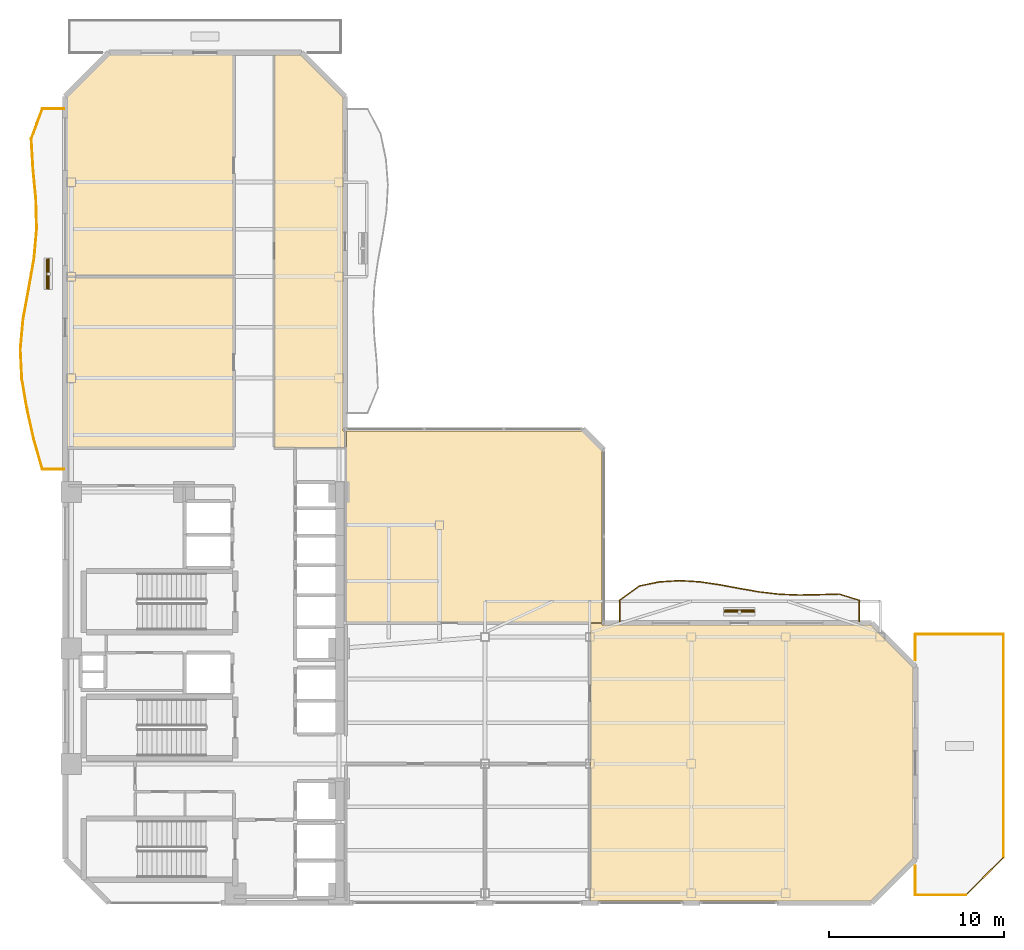
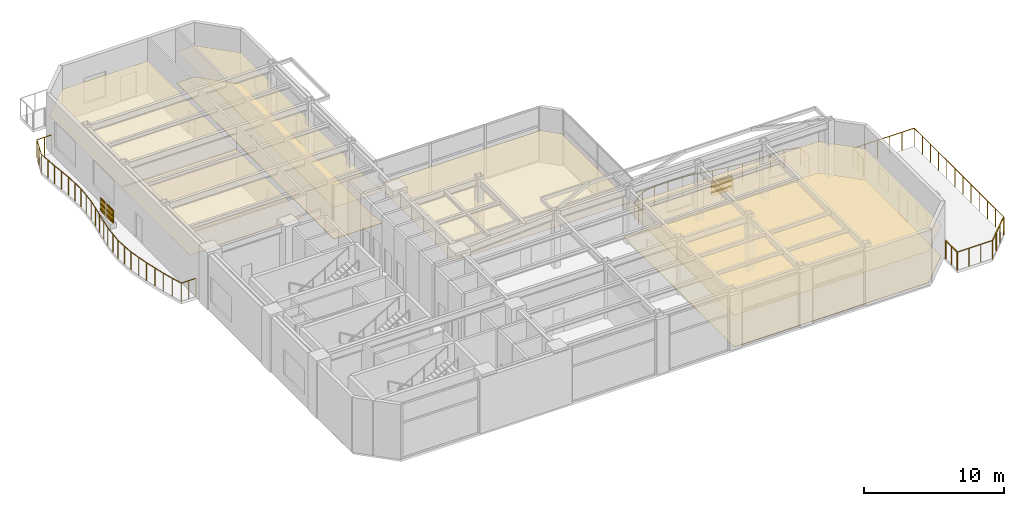
# One storey, part 22 of 23: 8 railings, 8 shading devices, 7 coverings.
"""IFC4 building model written with IfcOpenShell, lengths in metres."""

from ifc_helpers import new_model, si_unit, direction, frame, origin, origin_2d, place, context, subcontext, project, spatial, polyline, rectangle, outline, extrude, material, layer, layer_set, material_profile, profile_set, type_object, element, save


model = new_model("IFC4")

# Units and contexts
model_context = context("Model", 3, precision=1e-05, world=origin(), true_north=direction((0.0, 1.0)))
body_context = subcontext(model_context, "Body", "Model", "MODEL_VIEW")
ifc_project = project(units=[si_unit("LENGTHUNIT", "METRE"), si_unit("AREAUNIT", "SQUARE_METRE"), si_unit("VOLUMEUNIT", "CUBIC_METRE"), si_unit("PLANEANGLEUNIT", "RADIAN"), si_unit("MASSUNIT", "GRAM", prefix="KILO")], contexts=[model_context])

# Site, building, storey
site_placement = place(None, origin())
site = spatial("IfcSite", under=ifc_project, at=site_placement, CompositionType="ELEMENT")
building_placement = place(site_placement, origin())
building = spatial("IfcBuilding", under=site, at=building_placement, Name="Mawjaban Terraces University", CompositionType="ELEMENT")
storey_placement = place(building_placement, frame((0.0, 0.0, 98.39990234375)))
storey = spatial("IfcBuildingStorey", under=building, at=storey_placement, Name="L23", CompositionType="ELEMENT", Elevation=98.39990234375)

# Coverings
ifc_material_1 = material(Name="Acoustic mineral fibre ceiling tile", Category="masonry")
ifc_layer_1 = layer(ifc_material_1, 0.02001953125)
ifc_layer_set_1 = layer_set([ifc_layer_1], Name="Acoustic mineral fibre ceiling tile")
covering_type_1 = type_object("IfcCoveringType", Name="AcousticMineralCeiling_20", PredefinedType="CEILING", material=ifc_layer_set_1)
covering_1_placement = place(storey_placement, frame((0.0, 0.0, 2.75)))
element("IfcCovering", 1, at=covering_1_placement, inside=storey, type_object=covering_type_1, Name="L23 Low-to-Mid Sky Lounge Commons Acoustic Ceiling", PredefinedType="CEILING", context=body_context, shape_type="SweptSolid", body=[
    extrude(outline(polyline([(52.030029296875, 0.114990234375), (68.052978515625, 0.114990234375), (70.485107421875, 2.547119140625), (70.485107421875, 13.452880859375), (68.052978515625, 15.885009765625), (52.68505859375, 15.885009765625), (52.68505859375, 15.969970703125), (52.030029296875, 15.969970703125), (52.030029296875, 0.114990234375)])), origin(), (0.0, 0.0, 1.0), 0.02001953125),
])
covering_2_placement = place(storey_placement, frame((0.0, 0.0, 2.75)))
element("IfcCovering", 2, at=covering_2_placement, inside=storey, type_object=covering_type_1, Name="L23 Terrace Group Study Hall Acoustic Ceiling", PredefinedType="CEILING", context=body_context, shape_type="SweptSolid", body=[
    extrude(outline(polyline([(52.68505859375, 16.030029296875), (52.68505859375, 25.85302734375), (51.552978515625, 26.985107421875), (38.080078125, 26.985107421875), (38.080078125, 16.030029296875), (52.68505859375, 16.030029296875)])), origin(), (0.0, 0.0, 1.0), 0.02001953125),
])
covering_3_placement = place(storey_placement, frame((0.0, 0.0, 2.75)))
element("IfcCovering", 3, at=covering_3_placement, inside=storey, type_object=covering_type_1, Name="L23 Interfaculty Reading Commons Acoustic Ceiling", PredefinedType="CEILING", context=body_context, shape_type="SweptSolid", body=[
    extrude(outline(polyline([(37.885009765625, 26.985107421875), (37.885009765625, 46.052978515625), (35.452880859375, 48.485107421875), (33.97998046875, 48.485107421875), (33.97998046875, 26.030029296875), (37.969970703125, 26.030029296875), (37.969970703125, 26.985107421875), (37.885009765625, 26.985107421875)])), origin(), (0.0, 0.0, 1.0), 0.02001953125),
])
covering_4_placement = place(storey_placement, frame((0.0, 0.0, 2.75)))
element("IfcCovering", 4, at=covering_4_placement, inside=storey, type_object=covering_type_1, Name="L23 Student Advisory Office 1 Acoustic Ceiling", PredefinedType="CEILING", context=body_context, shape_type="SweptSolid", body=[
    extrude(outline(polyline([(22.114990234375, 35.77001953125), (22.114990234375, 26.030029296875), (31.6201171875, 26.030029296875), (31.6201171875, 35.77001953125), (22.114990234375, 35.77001953125)])), origin(), (0.0, 0.0, 1.0), 0.02001953125),
])
covering_5_placement = place(storey_placement, frame((0.0, 0.0, 2.75)))
element("IfcCovering", 5, at=covering_5_placement, inside=storey, type_object=covering_type_1, Name="L23 Student Advisory Office 2 Acoustic Ceiling", PredefinedType="CEILING", context=body_context, shape_type="SweptSolid", body=[
    extrude(outline(polyline([(31.6201171875, 48.485107421875), (24.547119140625, 48.485107421875), (22.114990234375, 46.052978515625), (22.114990234375, 35.830078125), (31.6201171875, 35.830078125), (31.6201171875, 48.485107421875)])), origin(), (0.0, 0.0, 1.0), 0.02001953125),
])

# Railings
ifc_material_2 = material(Name="Galvanised powder-coated steel S355", Category="steel")
railing_type = type_object("IfcRailingType", Name="BalconyBalustrade_1600", PredefinedType="BALUSTRADE", material=ifc_material_2)
railing_1_placement = place(storey_placement, frame((21.919921875, 24.800048828125, 0.0)))
element("IfcRailing", 6, at=railing_1_placement, inside=storey, type_object=railing_type, Name="L23 Balcony Guardrail west", PredefinedType="BALUSTRADE", context=body_context, shape_type="SweptSolid", body=[
    extrude(rectangle(XDim=0.048095703125, YDim=0.048095703125, at=origin_2d()), frame((0.0, 0.0, 1.576171875), z_axis=(-1.0, 0.0, 0.0), x_axis=(0.0, -1.0, 0.0)), (0.0, 0.0, 1.0), 1.219970703125),
    extrude(rectangle(XDim=0.048095703125, YDim=0.048095703125, at=origin_2d()), frame((-1.219970703125, 0.0, 1.576171875), z_axis=(-0.274919735508, 0.961467180422, 0.0), x_axis=(-0.961467180422, -0.274919735508, 0.0)), (0.0, 0.0, 1.0), 1.785888671875),
    extrude(rectangle(XDim=0.048095703125, YDim=0.048095703125, at=origin_2d()), frame((-1.7109375, 1.717041015625, 1.576171875), z_axis=(-0.217886102131, 0.975974203808, 0.0), x_axis=(-0.975974203808, -0.217886102131, 0.0)), (0.0, 0.0, 1.0), 1.758056640625),
    extrude(rectangle(XDim=0.048095703125, YDim=0.048095703125, at=origin_2d()), frame((-2.093994140625, 3.432861328125, 1.576171875), z_axis=(-0.170371389798, 0.98537992142, 0.0), x_axis=(-0.98537992142, -0.170371389798, 0.0)), (0.0, 0.0, 1.0), 1.742431640625),
    extrude(rectangle(XDim=0.048095703125, YDim=0.048095703125, at=origin_2d()), frame((-2.390869140625, 5.14990234375, 1.576171875), z_axis=(-0.049420555113, 0.998778057795, 0.0), x_axis=(-0.998778057795, -0.049420555113, 0.0)), (0.0, 0.0, 1.0), 1.71923828125),
    extrude(rectangle(XDim=0.048095703125, YDim=0.048095703125, at=origin_2d()), frame((-2.475830078125, 6.866943359375, 1.576171875), z_axis=(0.091659749456, 0.995790384735, 0.0), x_axis=(-0.995790384735, 0.091659749456, 0.0)), (0.0, 0.0, 1.0), 1.723388671875),
    extrude(rectangle(XDim=0.048095703125, YDim=0.048095703125, at=origin_2d()), frame((-2.31787109375, 8.5830078125, 1.576171875), z_axis=(0.179870018073, 0.983690386554, 0.0), x_axis=(-0.983690386554, 0.179870018073, 0.0)), (0.0, 0.0, 1.0), 1.74560546875),
    extrude(rectangle(XDim=0.048095703125, YDim=0.048095703125, at=origin_2d()), frame((-2.00390625, 10.300048828125, 1.576171875), z_axis=(0.175422364113, 0.984493267711, 0.0), x_axis=(-0.984493267711, 0.175422364113, 0.0)), (0.0, 0.0, 1.0), 1.743896484375),
    extrude(rectangle(XDim=0.048095703125, YDim=0.048095703125, at=origin_2d()), frame((-1.697998046875, 12.016845703125, 1.576171875), z_axis=(0.089411396543, 0.995994780191, 0.0), x_axis=(-0.995994780191, 0.089411396543, 0.0)), (0.0, 0.0, 1.0), 1.722900390625),
    extrude(rectangle(XDim=0.048095703125, YDim=0.048095703125, at=origin_2d()), frame((-1.5439453125, 13.73291015625, 1.576171875), z_axis=(-0.02672157941, 0.999642914842, 0.0), x_axis=(-0.999642914842, -0.02672157941, 0.0)), (0.0, 0.0, 1.0), 1.7177734375),
    extrude(rectangle(XDim=0.048095703125, YDim=0.048095703125, at=origin_2d()), frame((-1.58984375, 15.449951171875, 1.576171875), z_axis=(-0.095116345971, 0.995466162523, 0.0), x_axis=(-0.995466162523, -0.095116345971, 0.0)), (0.0, 0.0, 1.0), 1.724853515625),
    extrude(rectangle(XDim=0.048095703125, YDim=0.048095703125, at=origin_2d()), frame((-1.75390625, 17.1669921875, 1.576171875), z_axis=(-0.057664592582, 0.998336012955, 0.0), x_axis=(-0.998336012955, -0.057664592582, 0.0)), (0.0, 0.0, 1.0), 1.718994140625),
    extrude(rectangle(XDim=0.048095703125, YDim=0.048095703125, at=origin_2d()), frame((-1.85302734375, 18.883056640625, 1.576171875), z_axis=(0.345971218819, 0.93824512562, 0.0), x_axis=(-0.93824512562, 0.345971218819, 0.0)), (0.0, 0.0, 1.0), 1.829833984375),
    extrude(rectangle(XDim=0.048095703125, YDim=0.048095703125, at=origin_2d()), frame((-1.219970703125, 20.599853515625, 1.576171875), z_axis=(1.0, 0.0, 0.0), x_axis=(0.0, 1.0, 0.0)), (0.0, 0.0, 1.0), 1.219970703125),
    extrude(rectangle(XDim=0.0419921875, YDim=0.0419921875, at=origin_2d()), origin(), (0.0, 0.0, 1.0), 1.552001953125),
    extrude(rectangle(XDim=0.0419921875, YDim=0.0419921875, at=origin_2d()), frame((-0.60986328125, 0.0, 0.0)), (0.0, 0.0, 1.0), 1.552001953125),
    extrude(rectangle(XDim=0.0419921875, YDim=0.0419921875, at=origin_2d()), frame((-1.219970703125, 0.0, 0.0)), (0.0, 0.0, 1.0), 1.552001953125),
    extrude(rectangle(XDim=0.0419921875, YDim=0.0419921875, at=origin_2d()), frame((-1.46533203125, 0.8583984375, 0.0)), (0.0, 0.0, 1.0), 1.552001953125),
    extrude(rectangle(XDim=0.0419921875, YDim=0.0419921875, at=origin_2d()), frame((-1.7109375, 1.717041015625, 0.0)), (0.0, 0.0, 1.0), 1.552001953125),
    extrude(rectangle(XDim=0.0419921875, YDim=0.0419921875, at=origin_2d()), frame((-1.90234375, 2.574951171875, 0.0)), (0.0, 0.0, 1.0), 1.552001953125),
    extrude(rectangle(XDim=0.0419921875, YDim=0.0419921875, at=origin_2d()), frame((-2.093994140625, 3.432861328125, 0.0)), (0.0, 0.0, 1.0), 1.552001953125),
    extrude(rectangle(XDim=0.0419921875, YDim=0.0419921875, at=origin_2d()), frame((-2.242431640625, 4.29150390625, 0.0)), (0.0, 0.0, 1.0), 1.552001953125),
    extrude(rectangle(XDim=0.0419921875, YDim=0.0419921875, at=origin_2d()), frame((-2.390869140625, 5.14990234375, 0.0)), (0.0, 0.0, 1.0), 1.552001953125),
    extrude(rectangle(XDim=0.0419921875, YDim=0.0419921875, at=origin_2d()), frame((-2.433349609375, 6.00830078125, 0.0)), (0.0, 0.0, 1.0), 1.552001953125),
    extrude(rectangle(XDim=0.0419921875, YDim=0.0419921875, at=origin_2d()), frame((-2.475830078125, 6.866943359375, 0.0)), (0.0, 0.0, 1.0), 1.552001953125),
    extrude(rectangle(XDim=0.0419921875, YDim=0.0419921875, at=origin_2d()), frame((-2.39697265625, 7.72509765625, 0.0)), (0.0, 0.0, 1.0), 1.552001953125),
    extrude(rectangle(XDim=0.0419921875, YDim=0.0419921875, at=origin_2d()), frame((-2.31787109375, 8.5830078125, 0.0)), (0.0, 0.0, 1.0), 1.552001953125),
    extrude(rectangle(XDim=0.0419921875, YDim=0.0419921875, at=origin_2d()), frame((-2.160888671875, 9.44140625, 0.0)), (0.0, 0.0, 1.0), 1.552001953125),
    extrude(rectangle(XDim=0.0419921875, YDim=0.0419921875, at=origin_2d()), frame((-2.00390625, 10.300048828125, 0.0)), (0.0, 0.0, 1.0), 1.552001953125),
    extrude(rectangle(XDim=0.0419921875, YDim=0.0419921875, at=origin_2d()), frame((-1.85107421875, 11.158447265625, 0.0)), (0.0, 0.0, 1.0), 1.552001953125),
    extrude(rectangle(XDim=0.0419921875, YDim=0.0419921875, at=origin_2d()), frame((-1.697998046875, 12.016845703125, 0.0)), (0.0, 0.0, 1.0), 1.552001953125),
    extrude(rectangle(XDim=0.0419921875, YDim=0.0419921875, at=origin_2d()), frame((-1.62109375, 12.875, 0.0)), (0.0, 0.0, 1.0), 1.552001953125),
    extrude(rectangle(XDim=0.0419921875, YDim=0.0419921875, at=origin_2d()), frame((-1.5439453125, 13.73291015625, 0.0)), (0.0, 0.0, 1.0), 1.552001953125),
    extrude(rectangle(XDim=0.0419921875, YDim=0.0419921875, at=origin_2d()), frame((-1.56689453125, 14.59130859375, 0.0)), (0.0, 0.0, 1.0), 1.552001953125),
    extrude(rectangle(XDim=0.0419921875, YDim=0.0419921875, at=origin_2d()), frame((-1.58984375, 15.449951171875, 0.0)), (0.0, 0.0, 1.0), 1.552001953125),
    extrude(rectangle(XDim=0.0419921875, YDim=0.0419921875, at=origin_2d()), frame((-1.671875, 16.30859375, 0.0)), (0.0, 0.0, 1.0), 1.552001953125),
    extrude(rectangle(XDim=0.0419921875, YDim=0.0419921875, at=origin_2d()), frame((-1.75390625, 17.1669921875, 0.0)), (0.0, 0.0, 1.0), 1.552001953125),
    extrude(rectangle(XDim=0.0419921875, YDim=0.0419921875, at=origin_2d()), frame((-1.803466796875, 18.02490234375, 0.0)), (0.0, 0.0, 1.0), 1.552001953125),
    extrude(rectangle(XDim=0.0419921875, YDim=0.0419921875, at=origin_2d()), frame((-1.85302734375, 18.883056640625, 0.0)), (0.0, 0.0, 1.0), 1.552001953125),
    extrude(rectangle(XDim=0.0419921875, YDim=0.0419921875, at=origin_2d()), frame((-1.53662109375, 19.741455078125, 0.0)), (0.0, 0.0, 1.0), 1.552001953125),
    extrude(rectangle(XDim=0.0419921875, YDim=0.0419921875, at=origin_2d()), frame((-1.219970703125, 20.599853515625, 0.0)), (0.0, 0.0, 1.0), 1.552001953125),
    extrude(rectangle(XDim=0.0419921875, YDim=0.0419921875, at=origin_2d()), frame((-0.60986328125, 20.599853515625, 0.0)), (0.0, 0.0, 1.0), 1.552001953125),
    extrude(rectangle(XDim=0.0419921875, YDim=0.0419921875, at=origin_2d()), frame((0.0, 20.599853515625, 0.0)), (0.0, 0.0, 1.0), 1.552001953125),
])
railing_2_placement = place(storey_placement, frame((53.699951171875, 16.080078125, 0.0)))
element("IfcRailing", 7, at=railing_2_placement, inside=storey, type_object=railing_type, Name="L23 Balcony Guardrail inner_north", PredefinedType="BALUSTRADE", context=body_context, shape_type="SweptSolid", body=[
    extrude(rectangle(XDim=0.048095703125, YDim=0.048095703125, at=origin_2d()), frame((0.0, 0.0, 1.576171875), z_axis=(0.0, 1.0, 0.0), x_axis=(-1.0, 0.0, 0.0)), (0.0, 0.0, 1.0), 1.219970703125),
    extrude(rectangle(XDim=0.048095703125, YDim=0.048095703125, at=origin_2d()), frame((0.0, 1.219970703125, 1.576171875), z_axis=(0.811300723172, 0.58462905896, 0.0), x_axis=(-0.58462905896, 0.811300723172, 0.0)), (0.0, 0.0, 1.0), 1.40771484375),
    extrude(rectangle(XDim=0.048095703125, YDim=0.048095703125, at=origin_2d()), frame((1.14208984375, 2.04296875, 1.576171875), z_axis=(0.979625972189, 0.200830661536, 0.0), x_axis=(-0.200830661536, 0.979625972189, 0.0)), (0.0, 0.0, 1.0), 1.16455078125),
    extrude(rectangle(XDim=0.048095703125, YDim=0.048095703125, at=origin_2d()), frame((2.282958984375, 2.27685546875, 1.576171875), z_axis=(0.998123323235, 0.061235868698, 0.0), x_axis=(-0.061235868698, 0.998123323235, 0.0)), (0.0, 0.0, 1.0), 1.144287109375),
    extrude(rectangle(XDim=0.048095703125, YDim=0.048095703125, at=origin_2d()), frame((3.425048828125, 2.346923828125, 1.576171875), z_axis=(0.998226213846, -0.059535082014, 0.0), x_axis=(0.059535082014, 0.998226213846, 0.0)), (0.0, 0.0, 1.0), 1.14404296875),
    extrude(rectangle(XDim=0.048095703125, YDim=0.048095703125, at=origin_2d()), frame((4.567138671875, 2.27880859375, 1.576171875), z_axis=(0.989334920783, -0.145658554569, 0.0), x_axis=(0.145658554569, 0.989334920783, 0.0)), (0.0, 0.0, 1.0), 1.153076171875),
    extrude(rectangle(XDim=0.048095703125, YDim=0.048095703125, at=origin_2d()), frame((5.7080078125, 2.11083984375, 1.576171875), z_axis=(0.983066715928, -0.183248006902, 0.0), x_axis=(0.183248006902, 0.983066715928, 0.0)), (0.0, 0.0, 1.0), 1.161865234375),
    extrude(rectangle(XDim=0.048095703125, YDim=0.048095703125, at=origin_2d()), frame((6.85009765625, 1.89794921875, 1.576171875), z_axis=(0.985438210458, -0.170033918289, 0.0), x_axis=(0.170033918289, 0.985438210458, 0.0)), (0.0, 0.0, 1.0), 1.15869140625),
    extrude(rectangle(XDim=0.048095703125, YDim=0.048095703125, at=origin_2d()), frame((7.991943359375, 1.700927734375, 1.576171875), z_axis=(0.993367917664, -0.114979042246, 0.0), x_axis=(0.114979042246, 0.993367917664, 0.0)), (0.0, 0.0, 1.0), 1.148681640625),
    extrude(rectangle(XDim=0.048095703125, YDim=0.048095703125, at=origin_2d()), frame((9.133056640625, 1.56884765625, 1.576171875), z_axis=(0.999158791293, -0.041008654965, 0.0), x_axis=(0.041008654965, 0.999158791293, 0.0)), (0.0, 0.0, 1.0), 1.14306640625),
    extrude(rectangle(XDim=0.048095703125, YDim=0.048095703125, at=origin_2d()), frame((10.275146484375, 1.52197265625, 1.576171875), z_axis=(0.999798089259, 0.020094295572, 0.0), x_axis=(-0.020094295572, 0.999798089259, 0.0)), (0.0, 0.0, 1.0), 1.14208984375),
    extrude(rectangle(XDim=0.048095703125, YDim=0.048095703125, at=origin_2d()), frame((11.4169921875, 1.544921875, 1.576171875), z_axis=(0.999607464078, 0.028016383781, 0.0), x_axis=(-0.028016383781, 0.999607464078, 0.0)), (0.0, 0.0, 1.0), 1.1416015625),
    extrude(rectangle(XDim=0.048095703125, YDim=0.048095703125, at=origin_2d()), frame((12.55810546875, 1.576904296875, 1.576171875), z_axis=(0.954454556087, -0.298356331195, 0.0), x_axis=(0.298356331195, 0.954454556087, 0.0)), (0.0, 0.0, 1.0), 1.1962890625),
    extrude(rectangle(XDim=0.048095703125, YDim=0.048095703125, at=origin_2d()), frame((13.699951171875, 1.219970703125, 1.576171875), z_axis=(0.0, -1.0, 0.0), x_axis=(1.0, 0.0, 0.0)), (0.0, 0.0, 1.0), 1.219970703125),
    extrude(rectangle(XDim=0.0419921875, YDim=0.0419921875, at=origin_2d()), origin(), (0.0, 0.0, 1.0), 1.552001953125),
    extrude(rectangle(XDim=0.0419921875, YDim=0.0419921875, at=origin_2d()), frame((0.0, 0.60986328125, 0.0)), (0.0, 0.0, 1.0), 1.552001953125),
    extrude(rectangle(XDim=0.0419921875, YDim=0.0419921875, at=origin_2d()), frame((0.0, 1.219970703125, 0.0)), (0.0, 0.0, 1.0), 1.552001953125),
    extrude(rectangle(XDim=0.0419921875, YDim=0.0419921875, at=origin_2d()), frame((0.571044921875, 1.63134765625, 0.0)), (0.0, 0.0, 1.0), 1.552001953125),
    extrude(rectangle(XDim=0.0419921875, YDim=0.0419921875, at=origin_2d()), frame((1.14208984375, 2.04296875, 0.0)), (0.0, 0.0, 1.0), 1.552001953125),
    extrude(rectangle(XDim=0.0419921875, YDim=0.0419921875, at=origin_2d()), frame((2.282958984375, 2.27685546875, 0.0)), (0.0, 0.0, 1.0), 1.552001953125),
    extrude(rectangle(XDim=0.0419921875, YDim=0.0419921875, at=origin_2d()), frame((3.425048828125, 2.346923828125, 0.0)), (0.0, 0.0, 1.0), 1.552001953125),
    extrude(rectangle(XDim=0.0419921875, YDim=0.0419921875, at=origin_2d()), frame((4.567138671875, 2.27880859375, 0.0)), (0.0, 0.0, 1.0), 1.552001953125),
    extrude(rectangle(XDim=0.0419921875, YDim=0.0419921875, at=origin_2d()), frame((5.7080078125, 2.11083984375, 0.0)), (0.0, 0.0, 1.0), 1.552001953125),
    extrude(rectangle(XDim=0.0419921875, YDim=0.0419921875, at=origin_2d()), frame((6.85009765625, 1.89794921875, 0.0)), (0.0, 0.0, 1.0), 1.552001953125),
    extrude(rectangle(XDim=0.0419921875, YDim=0.0419921875, at=origin_2d()), frame((7.991943359375, 1.700927734375, 0.0)), (0.0, 0.0, 1.0), 1.552001953125),
    extrude(rectangle(XDim=0.0419921875, YDim=0.0419921875, at=origin_2d()), frame((9.133056640625, 1.56884765625, 0.0)), (0.0, 0.0, 1.0), 1.552001953125),
    extrude(rectangle(XDim=0.0419921875, YDim=0.0419921875, at=origin_2d()), frame((10.275146484375, 1.52197265625, 0.0)), (0.0, 0.0, 1.0), 1.552001953125),
    extrude(rectangle(XDim=0.0419921875, YDim=0.0419921875, at=origin_2d()), frame((11.4169921875, 1.544921875, 0.0)), (0.0, 0.0, 1.0), 1.552001953125),
    extrude(rectangle(XDim=0.0419921875, YDim=0.0419921875, at=origin_2d()), frame((12.55810546875, 1.576904296875, 0.0)), (0.0, 0.0, 1.0), 1.552001953125),
    extrude(rectangle(XDim=0.0419921875, YDim=0.0419921875, at=origin_2d()), frame((13.699951171875, 1.219970703125, 0.0)), (0.0, 0.0, 1.0), 1.552001953125),
    extrude(rectangle(XDim=0.0419921875, YDim=0.0419921875, at=origin_2d()), frame((13.699951171875, 0.60986328125, 0.0)), (0.0, 0.0, 1.0), 1.552001953125),
    extrude(rectangle(XDim=0.0419921875, YDim=0.0419921875, at=origin_2d()), frame((13.699951171875, 0.0, 0.0)), (0.0, 0.0, 1.0), 1.552001953125),
])
railing_3_placement = place(storey_placement, frame((70.60009765625, 0.449951171875, 0.0)))
element("IfcRailing", 8, at=railing_3_placement, inside=storey, type_object=railing_type, Name="L23 Terrace Guardrail TER-L23-EAST.1", PredefinedType="BALUSTRADE", context=body_context, shape_type="SweptSolid", body=[
    extrude(rectangle(XDim=0.048095703125, YDim=0.048095703125, at=origin_2d()), frame((0.0, 0.0, 1.576171875), z_axis=(1.0, 0.0, 0.0), x_axis=(0.0, 1.0, 0.0)), (0.0, 0.0, 1.0), 2.89990234375),
    extrude(rectangle(XDim=0.0419921875, YDim=0.0419921875, at=origin_2d()), origin(), (0.0, 0.0, 1.0), 1.552001953125),
    extrude(rectangle(XDim=0.0419921875, YDim=0.0419921875, at=origin_2d()), frame((0.966552734375, 0.0, 0.0)), (0.0, 0.0, 1.0), 1.552001953125),
    extrude(rectangle(XDim=0.0419921875, YDim=0.0419921875, at=origin_2d()), frame((1.933349609375, 0.0, 0.0)), (0.0, 0.0, 1.0), 1.552001953125),
    extrude(rectangle(XDim=0.0419921875, YDim=0.0419921875, at=origin_2d()), frame((2.89990234375, 0.0, 0.0)), (0.0, 0.0, 1.0), 1.552001953125),
])
railing_4_placement = place(storey_placement, frame((73.5, 0.449951171875, 0.0)))
element("IfcRailing", 9, at=railing_4_placement, inside=storey, type_object=railing_type, Name="L23 Terrace Guardrail TER-L23-EAST.2", PredefinedType="BALUSTRADE", context=body_context, shape_type="SweptSolid", body=[
    extrude(rectangle(XDim=0.048095703125, YDim=0.048095703125, at=origin_2d()), frame((0.0, 0.0, 1.576171875), z_axis=(0.707066633179, 0.707146926915, 0.0), x_axis=(-0.707146926915, 0.707066633179, 0.0)), (0.0, 0.0, 1.0), 3.04052734375),
    extrude(rectangle(XDim=0.0419921875, YDim=0.0419921875, at=origin_2d()), origin(), (0.0, 0.0, 1.0), 1.552001953125),
    extrude(rectangle(XDim=0.0419921875, YDim=0.0419921875, at=origin_2d()), frame((0.716552734375, 0.716796875, 0.0)), (0.0, 0.0, 1.0), 1.552001953125),
    extrude(rectangle(XDim=0.0419921875, YDim=0.0419921875, at=origin_2d()), frame((1.433349609375, 1.433349609375, 0.0)), (0.0, 0.0, 1.0), 1.552001953125),
    extrude(rectangle(XDim=0.0419921875, YDim=0.0419921875, at=origin_2d()), frame((2.14990234375, 2.150146484375, 0.0)), (0.0, 0.0, 1.0), 1.552001953125),
])
railing_5_placement = place(storey_placement, frame((75.64990234375, 2.60009765625, 0.0)))
element("IfcRailing", 10, at=railing_5_placement, inside=storey, type_object=railing_type, Name="L23 Terrace Guardrail TER-L23-EAST.3", PredefinedType="BALUSTRADE", context=body_context, shape_type="SweptSolid", body=[
    extrude(rectangle(XDim=0.048095703125, YDim=0.048095703125, at=origin_2d()), frame((0.0, 0.0, 1.576171875), z_axis=(0.0, 1.0, 0.0), x_axis=(-1.0, 0.0, 0.0)), (0.0, 0.0, 1.0), 12.75),
    extrude(rectangle(XDim=0.0419921875, YDim=0.0419921875, at=origin_2d()), origin(), (0.0, 0.0, 1.0), 1.552001953125),
    extrude(rectangle(XDim=0.0419921875, YDim=0.0419921875, at=origin_2d()), frame((0.0, 1.1591796875, 0.0)), (0.0, 0.0, 1.0), 1.552001953125),
    extrude(rectangle(XDim=0.0419921875, YDim=0.0419921875, at=origin_2d()), frame((0.0, 2.318115234375, 0.0)), (0.0, 0.0, 1.0), 1.552001953125),
    extrude(rectangle(XDim=0.0419921875, YDim=0.0419921875, at=origin_2d()), frame((0.0, 3.477294921875, 0.0)), (0.0, 0.0, 1.0), 1.552001953125),
    extrude(rectangle(XDim=0.0419921875, YDim=0.0419921875, at=origin_2d()), frame((0.0, 4.636474609375, 0.0)), (0.0, 0.0, 1.0), 1.552001953125),
    extrude(rectangle(XDim=0.0419921875, YDim=0.0419921875, at=origin_2d()), frame((0.0, 5.79541015625, 0.0)), (0.0, 0.0, 1.0), 1.552001953125),
    extrude(rectangle(XDim=0.0419921875, YDim=0.0419921875, at=origin_2d()), frame((0.0, 6.95458984375, 0.0)), (0.0, 0.0, 1.0), 1.552001953125),
    extrude(rectangle(XDim=0.0419921875, YDim=0.0419921875, at=origin_2d()), frame((0.0, 8.113525390625, 0.0)), (0.0, 0.0, 1.0), 1.552001953125),
    extrude(rectangle(XDim=0.0419921875, YDim=0.0419921875, at=origin_2d()), frame((0.0, 9.272705078125, 0.0)), (0.0, 0.0, 1.0), 1.552001953125),
    extrude(rectangle(XDim=0.0419921875, YDim=0.0419921875, at=origin_2d()), frame((0.0, 10.431884765625, 0.0)), (0.0, 0.0, 1.0), 1.552001953125),
    extrude(rectangle(XDim=0.0419921875, YDim=0.0419921875, at=origin_2d()), frame((0.0, 11.5908203125, 0.0)), (0.0, 0.0, 1.0), 1.552001953125),
    extrude(rectangle(XDim=0.0419921875, YDim=0.0419921875, at=origin_2d()), frame((0.0, 12.75, 0.0)), (0.0, 0.0, 1.0), 1.552001953125),
])
railing_6_placement = place(storey_placement, frame((75.64990234375, 15.35009765625, 0.0)))
element("IfcRailing", 11, at=railing_6_placement, inside=storey, type_object=railing_type, Name="L23 Terrace Guardrail TER-L23-EAST.4", PredefinedType="BALUSTRADE", context=body_context, shape_type="SweptSolid", body=[
    extrude(rectangle(XDim=0.048095703125, YDim=0.048095703125, at=origin_2d()), frame((0.0, 0.0, 1.576171875), z_axis=(-1.0, 0.0, 0.0), x_axis=(0.0, -1.0, 0.0)), (0.0, 0.0, 1.0), 5.0498046875),
    extrude(rectangle(XDim=0.0419921875, YDim=0.0419921875, at=origin_2d()), origin(), (0.0, 0.0, 1.0), 1.552001953125),
    extrude(rectangle(XDim=0.0419921875, YDim=0.0419921875, at=origin_2d()), frame((-1.010009765625, 0.0, 0.0)), (0.0, 0.0, 1.0), 1.552001953125),
    extrude(rectangle(XDim=0.0419921875, YDim=0.0419921875, at=origin_2d()), frame((-2.02001953125, 0.0, 0.0)), (0.0, 0.0, 1.0), 1.552001953125),
    extrude(rectangle(XDim=0.0419921875, YDim=0.0419921875, at=origin_2d()), frame((-3.02978515625, 0.0, 0.0)), (0.0, 0.0, 1.0), 1.552001953125),
    extrude(rectangle(XDim=0.0419921875, YDim=0.0419921875, at=origin_2d()), frame((-4.039794921875, 0.0, 0.0)), (0.0, 0.0, 1.0), 1.552001953125),
    extrude(rectangle(XDim=0.0419921875, YDim=0.0419921875, at=origin_2d()), frame((-5.0498046875, 0.0, 0.0)), (0.0, 0.0, 1.0), 1.552001953125),
])
railing_7_placement = place(storey_placement, frame((70.60009765625, 15.35009765625, 0.0)))
element("IfcRailing", 12, at=railing_7_placement, inside=storey, type_object=railing_type, Name="L23 Terrace Guardrail TER-L23-EAST.5", PredefinedType="BALUSTRADE", context=body_context, shape_type="SweptSolid", body=[
    extrude(rectangle(XDim=0.048095703125, YDim=0.048095703125, at=origin_2d()), frame((0.0, 0.0, 1.576171875), z_axis=(0.0, -1.0, 0.0), x_axis=(1.0, 0.0, 0.0)), (0.0, 0.0, 1.0), 1.4541015625),
    extrude(rectangle(XDim=0.0419921875, YDim=0.0419921875, at=origin_2d()), origin(), (0.0, 0.0, 1.0), 1.552001953125),
    extrude(rectangle(XDim=0.0419921875, YDim=0.0419921875, at=origin_2d()), frame((0.0, -0.72705078125, 0.0)), (0.0, 0.0, 1.0), 1.552001953125),
    extrude(rectangle(XDim=0.0419921875, YDim=0.0419921875, at=origin_2d()), frame((0.0, -1.4541015625, 0.0)), (0.0, 0.0, 1.0), 1.552001953125),
])
railing_8_placement = place(storey_placement, frame((70.60009765625, 2.10400390625, 0.0)))
element("IfcRailing", 13, at=railing_8_placement, inside=storey, type_object=railing_type, Name="L23 Terrace Guardrail TER-L23-EAST.6", PredefinedType="BALUSTRADE", context=body_context, shape_type="SweptSolid", body=[
    extrude(rectangle(XDim=0.048095703125, YDim=0.048095703125, at=origin_2d()), frame((0.0, 0.0, 1.576171875), z_axis=(0.0, -1.0, 0.0), x_axis=(1.0, 0.0, 0.0)), (0.0, 0.0, 1.0), 1.654052734375),
    extrude(rectangle(XDim=0.0419921875, YDim=0.0419921875, at=origin_2d()), origin(), (0.0, 0.0, 1.0), 1.552001953125),
    extrude(rectangle(XDim=0.0419921875, YDim=0.0419921875, at=origin_2d()), frame((0.0, -0.8271484375, 0.0)), (0.0, 0.0, 1.0), 1.552001953125),
    extrude(rectangle(XDim=0.0419921875, YDim=0.0419921875, at=origin_2d()), frame((0.0, -1.654052734375, 0.0)), (0.0, 0.0, 1.0), 1.552001953125),
])

# Shading devices
ifc_material_3 = material(Name="Glazed architectural terracotta ceramic", Category="masonry")
ifc_material_profile = material_profile(ifc_material_3, rectangle(XDim=0.06494140625, YDim=0.110107421875, at=origin_2d()), Name="TBAG110X65")
ifc_profile_set = profile_set([ifc_material_profile], Name="Glazed architectural terracotta ceramic")
shading_device_type_1 = type_object("IfcShadingDeviceType", Name="TerracottaBaguette_110x65", PredefinedType="USERDEFINED", material=ifc_profile_set)
for number, where, z_axis, x_axis, name in (
    (14, (20.955078125, 35.10888671875, 0.68017578125), (0.0, 1.0, 0.0), (-1.0, 0.0, 0.0), "L23 Horizontal Terracotta Baguette west.1"),
    (15, (20.955078125, 35.10888671875, 1.150146484375), (0.0, 1.0, 0.0), (-1.0, 0.0, 0.0), "L23 Horizontal Terracotta Baguette west.2"),
    (16, (20.955078125, 35.10888671875, 1.6201171875), (0.0, 1.0, 0.0), (-1.0, 0.0, 0.0), "L23 Horizontal Terracotta Baguette west.3"),
):
    element("IfcShadingDevice", number, at=place(storey_placement, frame(where, z_axis=z_axis, x_axis=x_axis)), inside=storey, type_object=shading_device_type_1, Name=name, ObjectType="BAGUETTE", PredefinedType="USERDEFINED", context=body_context, shape_type="SweptSolid", body=[
        extrude(rectangle(XDim=0.06494140625, YDim=0.110107421875, at=origin_2d()), origin(), (0.0, 0.0, 1.0), 1.7001953125),
    ])
for number, where, z_axis, x_axis, name in (
    (17, (59.699951171875, 16.72998046875, 0.68017578125), (1.0, 0.0, 0.0), (0.0, 1.0, 0.0), "L23 Horizontal Terracotta Baguette inner_north.1"),
    (18, (59.699951171875, 16.72998046875, 1.150146484375), (1.0, 0.0, 0.0), (0.0, 1.0, 0.0), "L23 Horizontal Terracotta Baguette inner_north.2"),
    (19, (59.699951171875, 16.72998046875, 1.6201171875), (1.0, 0.0, 0.0), (0.0, 1.0, 0.0), "L23 Horizontal Terracotta Baguette inner_north.3"),
):
    element("IfcShadingDevice", number, at=place(storey_placement, frame(where, z_axis=z_axis, x_axis=x_axis)), inside=storey, type_object=shading_device_type_1, Name=name, ObjectType="BAGUETTE", PredefinedType="USERDEFINED", context=body_context, shape_type="SweptSolid", body=[
        extrude(rectangle(XDim=0.06494140625, YDim=0.110107421875, at=origin_2d()), origin(), (0.0, 0.0, 1.0), 1.699951171875),
    ])
ifc_layer_2 = layer(ifc_material_3, 0.080078125)
ifc_layer_set_2 = layer_set([ifc_layer_2], Name="Glazed architectural terracotta ceramic")
shading_device_type_2 = type_object("IfcShadingDeviceType", Name="TerracottaScreen_Perforated", PredefinedType="USERDEFINED", material=ifc_layer_set_2)
for number, where, z_axis, x_axis, name in (
    (20, (21.0400390625, 35.958984375, 0.440185546875), (0.0, 0.0, 1.0), (0.0, 1.0, 0.0), "L23 Balcony Perforated Terracotta Screen west"),
    (21, (60.550048828125, 16.64501953125, 0.440185546875), (0.0, 0.0, 1.0), (1.0, 0.0, 0.0), "L23 Balcony Perforated Terracotta Screen inner_north"),
):
    element("IfcShadingDevice", number, at=place(storey_placement, frame(where, z_axis=z_axis, x_axis=x_axis)), inside=storey, type_object=shading_device_type_2, Name=name, ObjectType="SCREEN", PredefinedType="USERDEFINED", context=body_context, shape_type="SweptSolid", body=[
        extrude(rectangle(XDim=1.75, YDim=0.080078125, at=origin_2d()), origin(), (0.0, 0.0, 1.0), 1.14990234375),
    ])

# Coverings
ifc_material_4 = material(Name="Polished Hijazi granite terrazzo flooring", Category="masonry")
ifc_layer_3 = layer(ifc_material_4, 0.02490234375)
ifc_layer_set_3 = layer_set([ifc_layer_3], Name="Polished Hijazi granite terrazzo flooring")
covering_type_2 = type_object("IfcCoveringType", Name="TerrazzoConcourseFlooring_25", PredefinedType="FLOORING", material=ifc_layer_set_3)
covering_6_placement = place(storey_placement, origin())
element("IfcCovering", 22, at=covering_6_placement, inside=storey, type_object=covering_type_2, Name="L23 Low-to-Mid Sky Lounge Commons Terrazzo Flooring", PredefinedType="FLOORING", context=body_context, shape_type="SweptSolid", body=[
    extrude(outline(polyline([(52.030029296875, 0.114990234375), (68.052978515625, 0.114990234375), (70.485107421875, 2.547119140625), (70.485107421875, 13.452880859375), (68.052978515625, 15.885009765625), (52.68505859375, 15.885009765625), (52.68505859375, 15.969970703125), (52.030029296875, 15.969970703125), (52.030029296875, 0.114990234375)])), origin(), (0.0, 0.0, 1.0), 0.025146484375),
])
covering_7_placement = place(storey_placement, origin())
element("IfcCovering", 23, at=covering_7_placement, inside=storey, type_object=covering_type_2, Name="L23 Interfaculty Reading Commons Terrazzo Flooring", PredefinedType="FLOORING", context=body_context, shape_type="SweptSolid", body=[
    extrude(outline(polyline([(37.885009765625, 26.985107421875), (37.885009765625, 46.052978515625), (35.452880859375, 48.485107421875), (33.97998046875, 48.485107421875), (33.97998046875, 26.030029296875), (37.969970703125, 26.030029296875), (37.969970703125, 26.985107421875), (37.885009765625, 26.985107421875)])), origin(), (0.0, 0.0, 1.0), 0.025146484375),
])

save(model, "model.ifc")
